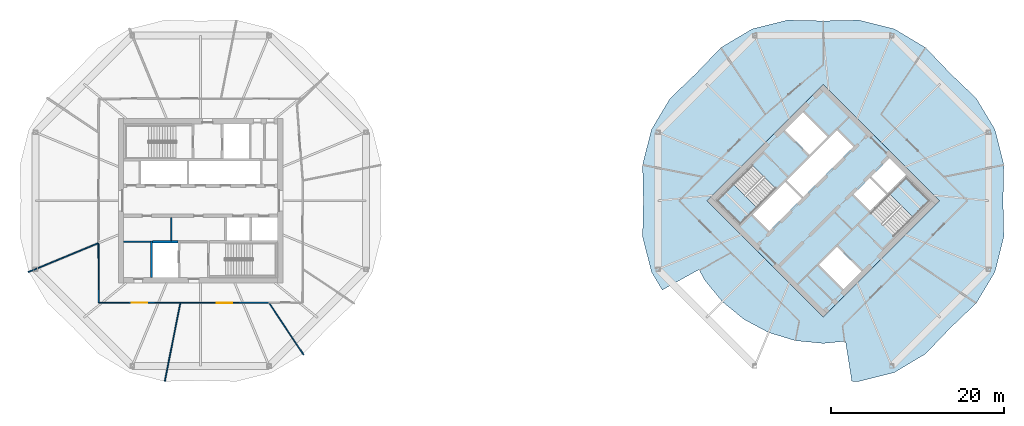
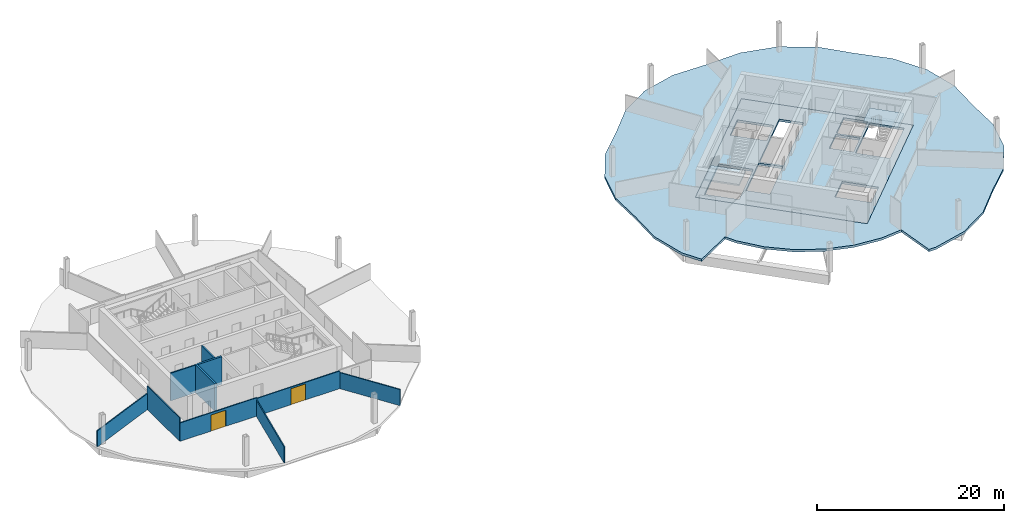
# One storey, part 4 of 10: 10 walls, 4 slabs, 2 doors, 2 openings, 2 elements without a shape of their own.
"""IFC4 building model written with IfcOpenShell, lengths in metres."""

from ifc_helpers import new_model, si_unit, direction, frame, frame_2d, origin, place, context, subcontext, project, spatial, polyline, rectangle, outline, extrude, material, layer, layer_set, type_object, element, fill, aggregate, save


model = new_model("IFC4")

# Units and contexts
model_context = context("Model", 3, precision=1e-05, world=origin(), true_north=direction((0.0, 1.0)))
body_context = subcontext(model_context, "Body", "Model", "MODEL_VIEW")
ifc_project = project(units=[si_unit("LENGTHUNIT", "METRE"), si_unit("AREAUNIT", "SQUARE_METRE"), si_unit("VOLUMEUNIT", "CUBIC_METRE"), si_unit("PLANEANGLEUNIT", "RADIAN"), si_unit("MASSUNIT", "GRAM", prefix="KILO")], contexts=[model_context])

# Site, building, storey
site_placement = place(None, origin())
site = spatial("IfcSite", under=ifc_project, at=site_placement, CompositionType="ELEMENT")
building_placement = place(site_placement, origin())
building = spatial("IfcBuilding", under=site, at=building_placement, Name="Ogive Gate Towers", CompositionType="ELEMENT")
storey_placement = place(building_placement, frame((0.0, 0.0, 212.39990234375)))
storey = spatial("IfcBuildingStorey", under=building, at=storey_placement, Name="L51", CompositionType="ELEMENT", Elevation=212.39990234375)

# Slabs
ifc_material_1 = material(Name="Concrete C40/50", Category="concrete")
ifc_layer_1 = layer(ifc_material_1, 0.300048828125)
ifc_layer_set_1 = layer_set([ifc_layer_1], Name="Core slab C40/50 300 mm")
slab_type_1 = type_object("IfcSlabType", Name="Core slab C40/50 300 mm", PredefinedType="FLOOR", material=ifc_layer_set_1)
slab_1_placement = place(storey_placement, frame((0.0, 0.0, -0.2998046875)))
element("IfcSlab", 1, at=slab_1_placement, inside=storey, type_object=slab_type_1, Name="T2 L51 core slab", PredefinedType="FLOOR", context=body_context, shape_type="SweptSolid", body=[
    extrude(outline(polyline([(36.0, -13.43505859375), (22.56494140625, 0.0), (36.0, 13.43505859375), (49.43505859375, 0.0), (36.0, -13.43505859375)]), holes=[polyline([(29.759765625, -3.482421875), (33.50732421875, 0.26513671875), (31.615966796875, 2.15673828125), (27.868408203125, -1.591064453125), (29.759765625, -3.482421875)]), polyline([(31.792724609375, 2.33349609375), (33.68408203125, 0.44189453125), (39.482421875, 6.240234375), (37.591064453125, 8.131591796875), (31.792724609375, 2.33349609375)]), polyline([(41.3916015625, 2.634033203125), (39.517822265625, 0.760009765625), (41.409423828125, -1.13134765625), (43.283203125, 0.742431640625), (41.3916015625, 2.634033203125)]), polyline([(45.563720703125, 3.02294921875), (43.672119140625, 4.914306640625), (41.568603515625, 2.810791015625), (43.4599609375, 0.919189453125), (45.563720703125, 3.02294921875)]), polyline([(34.408935546875, 5.30322265625), (36.4951171875, 7.389404296875), (33.64892578125, 10.2353515625), (31.56298828125, 8.1494140625), (34.408935546875, 5.30322265625)]), polyline([(35.5048828125, -7.389404296875), (38.35107421875, -10.2353515625), (40.43701171875, -8.1494140625), (37.591064453125, -5.30322265625), (35.5048828125, -7.389404296875)]), polyline([(26.40087890625, -2.70458984375), (30.512939453125, 1.406982421875), (27.80810546875, 4.11181640625), (23.6962890625, 0.0), (26.40087890625, -2.70458984375)]), polyline([(48.3037109375, 0.0), (45.59912109375, 2.70458984375), (41.487060546875, -1.406982421875), (44.19189453125, -4.11181640625), (48.3037109375, 0.0)])]), origin(), (0.0, 0.0, 1.0), 0.2998046875),
])
ifc_material_2 = material(Name="Concrete C35/45", Category="concrete")
ifc_layer_2 = layer(ifc_material_2, 0.300048828125)
ifc_layer_set_2 = layer_set([ifc_layer_2], Name="Floor slab 300")
slab_type_2 = type_object("IfcSlabType", Name="Floor slab 300", PredefinedType="FLOOR", material=ifc_layer_set_2)
slab_2_placement = place(storey_placement, frame((0.0, 0.0, -0.2998046875)))
element("IfcSlab", 2, at=slab_2_placement, inside=storey, type_object=slab_type_2, Name="T2/L51/SSL001", PredefinedType="FLOOR", context=body_context, shape_type="SweptSolid", body=[
    extrude(outline(polyline([(15.109375, -4.155517578125), (16.136474609375, -8.227783203125), (17.385009765625, -10.318359375), (21.636474609375, -7.961669921875), (22.28076171875, -9.1669921875), (24.332763671875, -11.667236328125), (26.8330078125, -13.71923828125), (29.685791015625, -15.243896484375), (32.781005859375, -16.182861328125), (36.0, -16.5), (38.5732421875, -16.24658203125), (39.305908203125, -20.8720703125), (40.155517578125, -20.890625), (44.227783203125, -19.863525390625), (47.833740234375, -17.710205078125), (50.707763671875, -14.707763671875), (53.710205078125, -11.833740234375), (55.863525390625, -8.227783203125), (56.890625, -4.155517578125), (56.800048828125, 0.0), (56.890625, 4.155517578125), (55.863525390625, 8.227783203125), (53.710205078125, 11.833740234375), (50.707763671875, 14.707763671875), (47.833740234375, 17.710205078125), (44.227783203125, 19.863525390625), (40.155517578125, 20.890625), (36.0, 20.800048828125), (31.844482421875, 20.890625), (27.772216796875, 19.863525390625), (24.166259765625, 17.710205078125), (21.292236328125, 14.707763671875), (18.289794921875, 11.833740234375), (16.136474609375, 8.227783203125), (15.109375, 4.155517578125), (15.199951171875, 0.0), (15.109375, -4.155517578125)]), holes=[polyline([(49.43505859375, 0.0), (36.0, -13.43505859375), (22.56494140625, 0.0), (36.0, 13.43505859375), (49.43505859375, 0.0)])]), origin(), (0.0, 0.0, 1.0), 0.2998046875),
])

# Stair, slab
stair_type = type_object("IfcStairType", Name="Escape stair 1840 wide", PredefinedType="HALF_TURN_STAIR", material=ifc_material_1)
stair_1_placement = place(storey_placement, origin())
stair_1 = element("IfcStair", 3, at=stair_1_placement, inside=storey, type_object=stair_type, Name="L51 Escape stair 1", PredefinedType="HALF_TURN_STAIR")
ifc_layer_3 = layer(ifc_material_1, 0.199951171875)
ifc_layer_set_3 = layer_set([ifc_layer_3], Name="Stair landing 200 mm")
slab_type_3 = type_object("IfcSlabType", Name="Stair landing 200 mm", PredefinedType="LANDING", material=ifc_layer_set_3)
slab_3_placement = place(storey_placement, frame((0.0, 0.0, 1.75)))
slab_3 = element("IfcSlab", 4, at=slab_3_placement, type_object=slab_type_3, Name="ST1 landing 1", PredefinedType="LANDING", context=body_context, shape_type="SweptSolid", body=[
    extrude(outline(polyline([(25.6044921875, 1.908203125), (23.6962890625, 0.0), (26.401123046875, -2.70458984375), (28.309326171875, -0.79638671875), (25.6044921875, 1.908203125)])), origin(), (0.0, 0.0, 1.0), 0.2001953125),
])
aggregate(stair_1, [slab_3])

stair_2_placement = place(storey_placement, origin())
stair_2 = element("IfcStair", 5, at=stair_2_placement, inside=storey, type_object=stair_type, Name="L51 Escape stair 2", PredefinedType="HALF_TURN_STAIR")
slab_4_placement = place(storey_placement, frame((0.0, 0.0, 1.75)))
slab_4 = element("IfcSlab", 6, at=slab_4_placement, type_object=slab_type_3, Name="ST2 landing 1", PredefinedType="LANDING", context=body_context, shape_type="SweptSolid", body=[
    extrude(outline(polyline([(46.3955078125, -1.908203125), (48.3037109375, 0.0), (45.598876953125, 2.70458984375), (43.690673828125, 0.79638671875), (46.3955078125, -1.908203125)])), origin(), (0.0, 0.0, 1.0), 0.2001953125),
])
aggregate(stair_2, [slab_4])

# Walls
ifc_material_3 = material(Name="Gypsum board partition")
ifc_layer_4 = layer(ifc_material_3, 0.125)
ifc_layer_set_4 = layer_set([ifc_layer_4], Name="Partition 125")
wall_type_1 = type_object("IfcWallType", Name="Partition 125", PredefinedType="PARTITIONING", material=ifc_layer_set_4)
wall_1_placement = place(storey_placement, frame((-55.949462890625, -8.263427734375, 0.0), z_axis=(0.0, 0.0, 1.0), x_axis=(0.923878257775, 0.382686509835, 0.0)))
element("IfcWall", 7, at=wall_1_placement, inside=storey, type_object=wall_type_1, Name="Partition T1-L51-006", PredefinedType="PARTITIONING", context=body_context, shape_type="SweptSolid", body=[
    extrude(rectangle(XDim=8.739501953125, YDim=0.125, at=frame_2d((4.36962890625, 0.0))), origin(), (0.0, 0.0, 1.0), 2.10009765625),
])
wall_2_placement = place(storey_placement, frame((-40.147216796875, -20.891845703125, 0.0), z_axis=(0.0, 0.0, 1.0), x_axis=(0.194722219727, 0.980858428696, 0.0)))
element("IfcWall", 8, at=wall_2_placement, inside=storey, type_object=wall_type_1, Name="Partition T1-L51-007", PredefinedType="PARTITIONING", context=body_context, shape_type="SweptSolid", body=[
    extrude(rectangle(XDim=9.196533203125, YDim=0.125, at=frame_2d((4.59814453125, 0.0))), origin(), (0.0, 0.0, 1.0), 2.10009765625),
])
wall_3_placement = place(storey_placement, frame((-24.0888671875, -17.81103515625, 0.0), z_axis=(0.0, 0.0, 1.0), x_axis=(-0.555916910213, 0.831237865439, 0.0)))
element("IfcWall", 9, at=wall_3_placement, inside=storey, type_object=wall_type_1, Name="Partition T1-L51-008", PredefinedType="PARTITIONING", context=body_context, shape_type="SweptSolid", body=[
    extrude(rectangle(XDim=7.173828125, YDim=0.125, at=frame_2d((3.5869140625, 0.0))), origin(), (0.0, 0.0, 1.0), 2.10009765625),
])

# Wall, opening, door
wall_4_placement = place(storey_placement, frame((-47.780029296875, -11.780029296875, 0.0), z_axis=(0.0, 0.0, 1.0), x_axis=(0.99999493566, -0.003182554779, 0.0)))
wall_4 = element("IfcWall", 10, at=wall_4_placement, inside=storey, type_object=wall_type_1, Name="Partition T1-L51-017", PredefinedType="PARTITIONING", context=body_context, shape_type="SweptSolid", body=[
    extrude(rectangle(XDim=9.435546875, YDim=0.125, at=frame_2d((4.7177734375, 0.0))), origin(), (0.0, 0.0, 1.0), 2.400146484375),
])
opening_1_placement = place(wall_4_placement, frame((3.818115234375, 0.0, 0.0)))
opening_1 = element("IfcOpeningElement", 11, at=opening_1_placement, cuts=wall_4, Name="Opening T1-L51-D07", PredefinedType="OPENING", context=body_context, shape_type="SweptSolid", body=[
    extrude(rectangle(XDim=1.800048828125, YDim=2.10009765625, at=frame_2d((0.89990234375, 1.050048828125))), frame((0.0, 0.072509765625, 0.0), z_axis=(0.0, -1.0, 0.0), x_axis=(1.0, 0.0, 0.0)), (0.0, 0.0, 1.0), 0.14501953125),
])
ifc_material_4 = material(Name="Timber door", Category="wood")
door_type = type_object("IfcDoorType", Name="Door pair 1800", OperationType="NOTDEFINED", PredefinedType="DOOR", material=ifc_material_4)
door_1_placement = place(opening_1_placement, origin())
door_1 = element("IfcDoor", 12, at=door_1_placement, inside=storey, type_object=door_type, Name="Door T1-L51-D07", OperationType="DOUBLE_DOOR_DOUBLE_SWING", OverallHeight=2.10009765625, OverallWidth=1.800048828125, PredefinedType="DOOR", context=body_context, shape_type="SweptSolid", body=[
    extrude(rectangle(XDim=1.800048828125, YDim=2.10009765625, at=frame_2d((0.89990234375, 1.050048828125))), frame((0.0, 0.02490234375, 0.0), z_axis=(0.0, -1.0, 0.0), x_axis=(1.0, 0.0, 0.0)), (0.0, 0.0, 1.0), 0.050048828125),
])
fill(opening_1, door_1)

# Wall
wall_5_placement = place(storey_placement, frame((-47.8173828125, -4.89501953125, 0.0), z_axis=(0.0, 0.0, 1.0), x_axis=(0.005425259683, -0.99998528317, 0.0)))
element("IfcWall", 13, at=wall_5_placement, inside=storey, type_object=wall_type_1, Name="Partition T1-L51-018", PredefinedType="PARTITIONING", context=body_context, shape_type="SweptSolid", body=[
    extrude(rectangle(XDim=6.885009765625, YDim=0.125, at=frame_2d((3.4423828125, 0.0))), origin(), (0.0, 0.0, 1.0), 3.050048828125),
])

# Wall, opening, door
wall_6_placement = place(storey_placement, frame((-38.344482421875, -11.81005859375, 0.0), z_axis=(0.0, 0.0, 1.0), x_axis=(0.99999904257, 0.001383784522, 0.0)))
wall_6 = element("IfcWall", 14, at=wall_6_placement, inside=storey, type_object=wall_type_1, Name="Partition T1-L51-019", PredefinedType="PARTITIONING", context=body_context, shape_type="SweptSolid", body=[
    extrude(rectangle(XDim=10.23291015625, YDim=0.125, at=frame_2d((5.116455078125, 0.0))), origin(), (0.0, 0.0, 1.0), 2.300048828125),
])
opening_2_placement = place(wall_6_placement, frame((4.216064453125, 0.0, 0.0)))
opening_2 = element("IfcOpeningElement", 15, at=opening_2_placement, cuts=wall_6, Name="Opening T1-L51-D08", PredefinedType="OPENING", context=body_context, shape_type="SweptSolid", body=[
    extrude(rectangle(XDim=1.800048828125, YDim=2.10009765625, at=frame_2d((0.89990234375, 1.050048828125))), frame((0.0, 0.072509765625, 0.0), z_axis=(0.0, -1.0, 0.0), x_axis=(1.0, 0.0, 0.0)), (0.0, 0.0, 1.0), 0.14501953125),
])
door_2_placement = place(opening_2_placement, origin())
door_2 = element("IfcDoor", 16, at=door_2_placement, inside=storey, type_object=door_type, Name="Door T1-L51-D08", OperationType="DOUBLE_DOOR_DOUBLE_SWING", OverallHeight=2.10009765625, OverallWidth=1.800048828125, PredefinedType="DOOR", context=body_context, shape_type="SweptSolid", body=[
    extrude(rectangle(XDim=1.800048828125, YDim=2.10009765625, at=frame_2d((0.89990234375, 1.050048828125))), frame((0.0, 0.02490234375, 0.0), z_axis=(0.0, -1.0, 0.0), x_axis=(1.0, 0.0, 0.0)), (0.0, 0.0, 1.0), 0.050048828125),
])
fill(opening_2, door_2)

# Walls
ifc_layer_5 = layer(ifc_material_3, 0.14990234375)
ifc_layer_set_5 = layer_set([ifc_layer_5], Name="Room partition 150 mm")
wall_type_2 = type_object("IfcWallType", Name="Room partition 150 mm", PredefinedType="PARTITIONING", material=ifc_layer_set_5)
wall_7_placement = place(storey_placement, frame((-44.89990234375, -4.75, 0.0), z_axis=(0.0, 0.0, 1.0), x_axis=(1.0, 0.0, 0.0)))
element("IfcWall", 17, at=wall_7_placement, inside=storey, type_object=wall_type_2, Name="T1 L51 Room partition 150 mm", PredefinedType="PARTITIONING", context=body_context, shape_type="SweptSolid", body=[
    extrude(rectangle(XDim=3.074951171875, YDim=0.14990234375, at=frame_2d((1.53759765625, 0.0))), origin(), (0.0, 0.0, 1.0), 3.60009765625),
])
wall_8_placement = place(storey_placement, frame((-39.39990234375, -4.625, 0.0), z_axis=(0.0, 0.0, 1.0), x_axis=(0.0, 1.0, 0.0)))
element("IfcWall", 18, at=wall_8_placement, inside=storey, type_object=wall_type_2, Name="T1 L51 Room partition 150 mm", PredefinedType="PARTITIONING", context=body_context, shape_type="SweptSolid", body=[
    extrude(rectangle(XDim=2.675048828125, YDim=0.14990234375, at=frame_2d((1.33740234375, 0.0))), origin(), (0.0, 0.0, 1.0), 3.60009765625),
])
ifc_material_5 = material(Name="Concrete C60/75", Category="concrete")
ifc_layer_6 = layer(ifc_material_5, 0.25)
ifc_layer_set_6 = layer_set([ifc_layer_6], Name="Shaft wall 250 mm")
wall_type_3 = type_object("IfcWallType", Name="Shaft wall 250 mm", PredefinedType="SHEAR", material=ifc_layer_set_6)
wall_9_placement = place(storey_placement, frame((-41.574951171875, -4.75, 0.0), z_axis=(0.0, 0.0, 1.0), x_axis=(1.0, 0.0, 0.0)))
element("IfcWall", 19, at=wall_9_placement, inside=storey, type_object=wall_type_3, Name="T1 L51 Shaft wall 250 mm", PredefinedType="SHEAR", context=body_context, shape_type="SweptSolid", body=[
    extrude(rectangle(XDim=2.949951171875, YDim=0.25, at=frame_2d((1.47509765625, 0.0))), origin(), (0.0, 0.0, 1.0), 3.60009765625),
])
wall_10_placement = place(storey_placement, frame((-41.699951171875, -8.89990234375, 0.0), z_axis=(0.0, 0.0, 1.0), x_axis=(0.0, 1.0, 0.0)))
element("IfcWall", 20, at=wall_10_placement, inside=storey, type_object=wall_type_3, Name="T1 L51 Shaft wall 250 mm", PredefinedType="SHEAR", context=body_context, shape_type="SweptSolid", body=[
    extrude(rectangle(XDim=4.224853515625, YDim=0.25, at=frame_2d((2.1123046875, 0.0))), origin(), (0.0, 0.0, 1.0), 3.60009765625),
])

save(model, "model.ifc")
